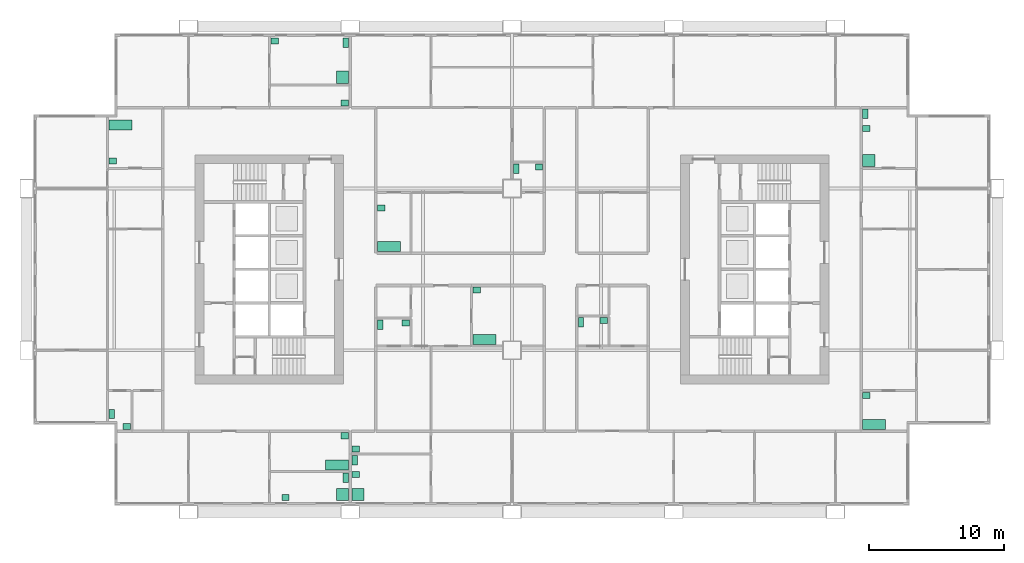
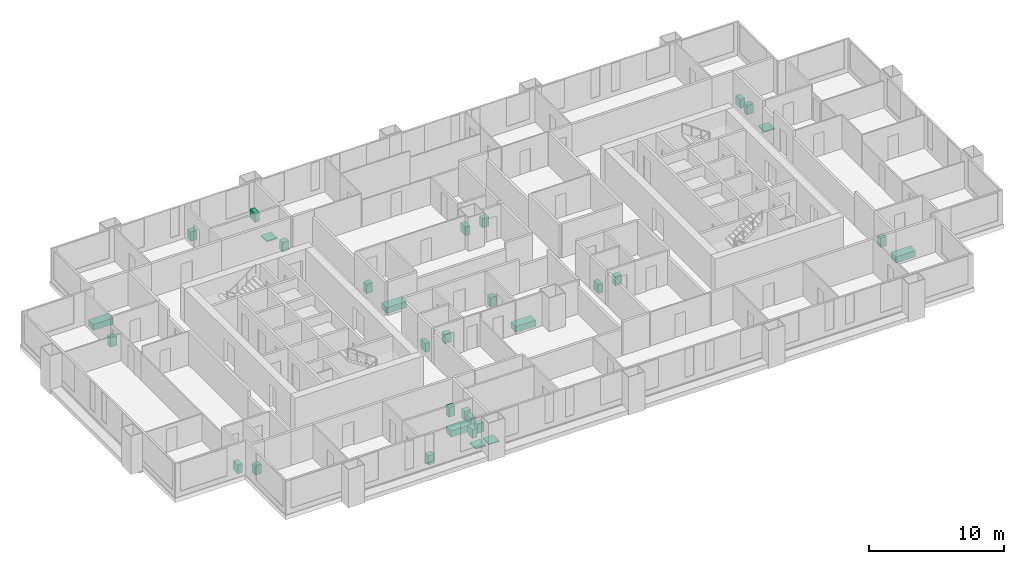
# One storey, part 12 of 13: 32 sanitary terminals.
"""IFC4 building model written with IfcOpenShell, lengths in metres."""

from ifc_helpers import new_model, si_unit, direction, frame, origin, origin_2d, place, context, subcontext, project, spatial, rectangle, extrude, material, type_object, element, save


model = new_model("IFC4")

# Units and contexts
model_context = context("Model", 3, precision=1e-05, world=origin(), true_north=direction((0.0, 1.0)))
body_context = subcontext(model_context, "Body", "Model", "MODEL_VIEW")
ifc_project = project(units=[si_unit("LENGTHUNIT", "METRE"), si_unit("AREAUNIT", "SQUARE_METRE"), si_unit("VOLUMEUNIT", "CUBIC_METRE"), si_unit("PLANEANGLEUNIT", "RADIAN"), si_unit("MASSUNIT", "GRAM", prefix="KILO")], contexts=[model_context])

# Site, building, storey
site_placement = place(None, origin())
site = spatial("IfcSite", under=ifc_project, at=site_placement, CompositionType="ELEMENT")
building_placement = place(site_placement, origin())
building = spatial("IfcBuilding", under=site, at=building_placement, Name="Kitamizu Gate Tower and Museum", CompositionType="ELEMENT")
storey_placement = place(building_placement, frame((0.0, 0.0, 144.89990234375)))
storey = spatial("IfcBuildingStorey", under=building, at=storey_placement, Name="L38", CompositionType="ELEMENT", Elevation=144.89990234375)

# Sanitary terminals
ifc_material_1 = material(Name="Acrylic")
sanitary_terminal_type_1 = type_object("IfcSanitaryTerminalType", Name="Bath", PredefinedType="BATH", material=ifc_material_1)
for number, where, z_axis, x_axis, name in (
    (1, (23.030029296875, 15.4951171875, 0.0009765625), (0.0, 0.0, 1.0), (1.0, 0.0, 0.0), "Bath Bathroom 38A"),
    (2, (6.969970703125, 40.705078125, 0.0009765625), (0.0, 0.0, 1.0), (1.0, 0.0, 0.0), "Bath Bathroom 38B"),
    (3, (33.969970703125, 24.794921875, 0.0009765625), (0.0, 0.0, 1.0), (1.0, 0.0, 0.0), "Bath Bathroom 38C"),
    (4, (62.8701171875, 18.4951171875, 0.0009765625), (0.0, 0.0, 1.0), (1.0, 0.0, 0.0), "Bath Bathroom and WC 38E"),
    (5, (26.8701171875, 31.695068359375, 0.0009765625), (0.0, 0.0, 1.0), (1.0, 0.0, 0.0), "Bath Bathroom 38G"),
):
    element("IfcSanitaryTerminal", number, at=place(storey_placement, frame(where, z_axis=z_axis, x_axis=x_axis)), inside=storey, type_object=sanitary_terminal_type_1, Name=name, PredefinedType="BATH", context=body_context, shape_type="SweptSolid", body=[
        extrude(rectangle(XDim=1.699951171875, YDim=0.75, at=origin_2d()), origin(), (0.0, 0.0, 1.0), 0.550048828125),
    ])
ifc_material_2 = material(Name="Acrylic")
sanitary_terminal_type_2 = type_object("IfcSanitaryTerminalType", Name="Shower tray", PredefinedType="SHOWER", material=ifc_material_2)
for number, where, z_axis, x_axis, name in (
    (6, (23.429931640625, 13.2900390625, 0.0009765625), (0.0, 0.0, 1.0), (1.0, 0.0, 0.0), "Shower tray En-suite bathroom and WC 38A"),
    (7, (24.570068359375, 13.2900390625, 0.0009765625), (0.0, 0.0, 1.0), (1.0, 0.0, 0.0), "Shower tray En-suite bathroom 38D"),
    (8, (62.469970703125, 38.070068359375, 0.0009765625), (0.0, 0.0, 1.0), (1.0, 0.0, 0.0), "Shower tray En-suite bathroom 38E"),
    (9, (23.429931640625, 44.25, 0.0009765625), (0.0, 0.0, 1.0), (1.0, 0.0, 0.0), "Shower tray En-suite bathroom and WC 38F"),
):
    element("IfcSanitaryTerminal", number, at=place(storey_placement, frame(where, z_axis=z_axis, x_axis=x_axis)), inside=storey, type_object=sanitary_terminal_type_2, Name=name, PredefinedType="SHOWER", context=body_context, shape_type="SweptSolid", body=[
        extrude(rectangle(XDim=0.89990234375, YDim=0.89990234375, at=origin_2d()), origin(), (0.0, 0.0, 1.0), 0.10009765625),
    ])
ifc_material_3 = material(Name="Vitreous china")
sanitary_terminal_type_3 = type_object("IfcSanitaryTerminalType", Name="Wash hand basin", PredefinedType="WASHHANDBASIN", material=ifc_material_3)
for number, where, z_axis, x_axis, name in (
    (10, (19.195068359375, 13.06494140625, 0.0009765625), (0.0, 0.0, 1.0), (1.0, 0.0, 0.0), "Wash hand basin En-suite bathroom and WC 38A"),
    (11, (23.60498046875, 17.655029296875, 0.0009765625), (0.0, 0.0, 1.0), (1.0, 0.0, 0.0), "Wash hand basin Bathroom 38A"),
    (12, (7.405029296875, 18.344970703125, 0.0009765625), (0.0, 0.0, 1.0), (1.0, 0.0, 0.0), "Wash hand basin WC 38B"),
    (13, (6.39501953125, 38.044921875, 0.0009765625), (0.0, 0.0, 1.0), (1.0, 0.0, 0.0), "Wash hand basin Bathroom 38B"),
    (14, (28.10498046875, 26.031982421875, 0.0009765625), (0.0, 0.0, 1.0), (1.0, 0.0, 0.0), "Wash hand basin WC 38C"),
    (15, (33.39501953125, 28.455078125, 0.0009765625), (0.0, 0.0, 1.0), (1.0, 0.0, 0.0), "Wash hand basin Bathroom 38C"),
    (16, (24.39501953125, 14.77490234375, 0.0009765625), (0.0, 0.0, 1.0), (1.0, 0.0, 0.0), "Wash hand basin En-suite bathroom 38D"),
    (17, (24.39501953125, 16.6650390625, 0.0009765625), (0.0, 0.0, 1.0), (1.0, 0.0, 0.0), "Wash hand basin Wash room 38D"),
    (18, (42.804931640625, 26.205078125, 0.0009765625), (0.0, 0.0, 1.0), (1.0, 0.0, 0.0), "Wash hand basin WC 38D"),
    (19, (62.294921875, 20.655029296875, 0.0009765625), (0.0, 0.0, 1.0), (1.0, 0.0, 0.0), "Wash hand basin Bathroom and WC 38E"),
    (20, (62.294921875, 40.455078125, 0.0009765625), (0.0, 0.0, 1.0), (1.0, 0.0, 0.0), "Wash hand basin En-suite bathroom 38E"),
    (21, (18.39501953125, 46.93505859375, 0.0009765625), (0.0, 0.0, 1.0), (1.0, 0.0, 0.0), "Wash hand basin En-suite bathroom and WC 38F"),
    (22, (23.60498046875, 42.344970703125, 0.0009765625), (0.0, 0.0, 1.0), (1.0, 0.0, 0.0), "Wash hand basin Wash room 38F"),
    (23, (38.0048828125, 37.60498046875, 0.0009765625), (0.0, 0.0, 1.0), (1.0, 0.0, 0.0), "Wash hand basin WC 38G"),
    (24, (26.294921875, 34.554931640625, 0.0009765625), (0.0, 0.0, 1.0), (1.0, 0.0, 0.0), "Wash hand basin Bathroom 38G"),
):
    element("IfcSanitaryTerminal", number, at=place(storey_placement, frame(where, z_axis=z_axis, x_axis=x_axis)), inside=storey, type_object=sanitary_terminal_type_3, Name=name, PredefinedType="WASHHANDBASIN", context=body_context, shape_type="SweptSolid", body=[
        extrude(rectangle(XDim=0.550048828125, YDim=0.449951171875, at=origin_2d()), origin(), (0.0, 0.0, 1.0), 0.85009765625),
    ])
ifc_material_4 = material(Name="Vitreous china")
sanitary_terminal_type_4 = type_object("IfcSanitaryTerminalType", Name="Water closet", PredefinedType="TOILETPAN", material=ifc_material_4)
for number, where, z_axis, x_axis, name in (
    (25, (23.679931640625, 14.530029296875, 0.0009765625), (0.0, 0.0, 1.0), (1.0, 0.0, 0.0), "Water closet En-suite bathroom and WC 38A"),
    (26, (6.320068359375, 19.27001953125, 0.0009765625), (0.0, 0.0, 1.0), (1.0, 0.0, 0.0), "Water closet WC 38B"),
    (27, (26.219970703125, 25.906982421875, 0.0009765625), (0.0, 0.0, 1.0), (1.0, 0.0, 0.0), "Water closet WC 38C"),
    (28, (24.320068359375, 15.85009765625, 0.0009765625), (0.0, 0.0, 1.0), (1.0, 0.0, 0.0), "Water closet En-suite bathroom 38D"),
    (29, (41.1201171875, 26.080078125, 0.0009765625), (0.0, 0.0, 1.0), (1.0, 0.0, 0.0), "Water closet WC 38D"),
    (30, (62.219970703125, 41.530029296875, 0.0009765625), (0.0, 0.0, 1.0), (1.0, 0.0, 0.0), "Water closet En-suite bathroom 38E"),
    (31, (23.679931640625, 46.81005859375, 0.0009765625), (0.0, 0.0, 1.0), (1.0, 0.0, 0.0), "Water closet En-suite bathroom and WC 38F"),
    (32, (36.320068359375, 37.47998046875, 0.0009765625), (0.0, 0.0, 1.0), (1.0, 0.0, 0.0), "Water closet WC 38G"),
):
    element("IfcSanitaryTerminal", number, at=place(storey_placement, frame(where, z_axis=z_axis, x_axis=x_axis)), inside=storey, type_object=sanitary_terminal_type_4, Name=name, PredefinedType="TOILETPAN", context=body_context, shape_type="SweptSolid", body=[
        extrude(rectangle(XDim=0.39990234375, YDim=0.699951171875, at=origin_2d()), origin(), (0.0, 0.0, 1.0), 0.800048828125),
    ])

save(model, "model.ifc")
